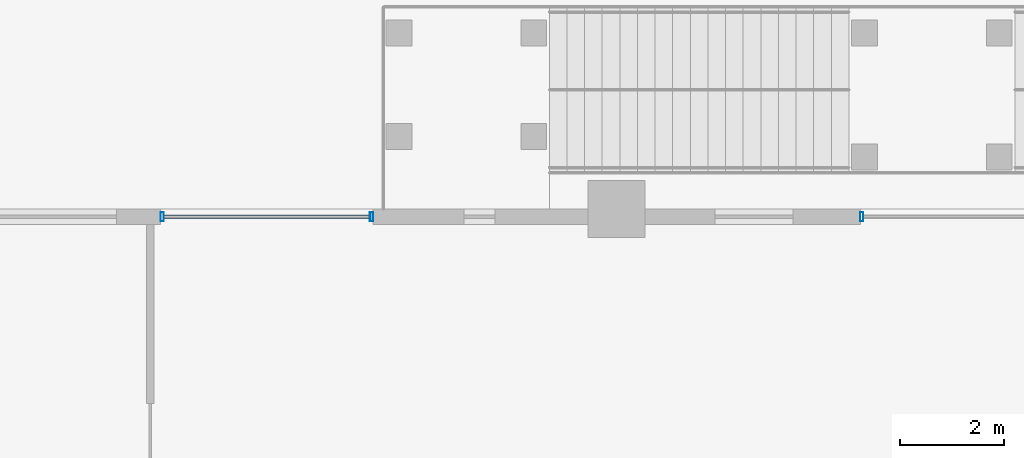
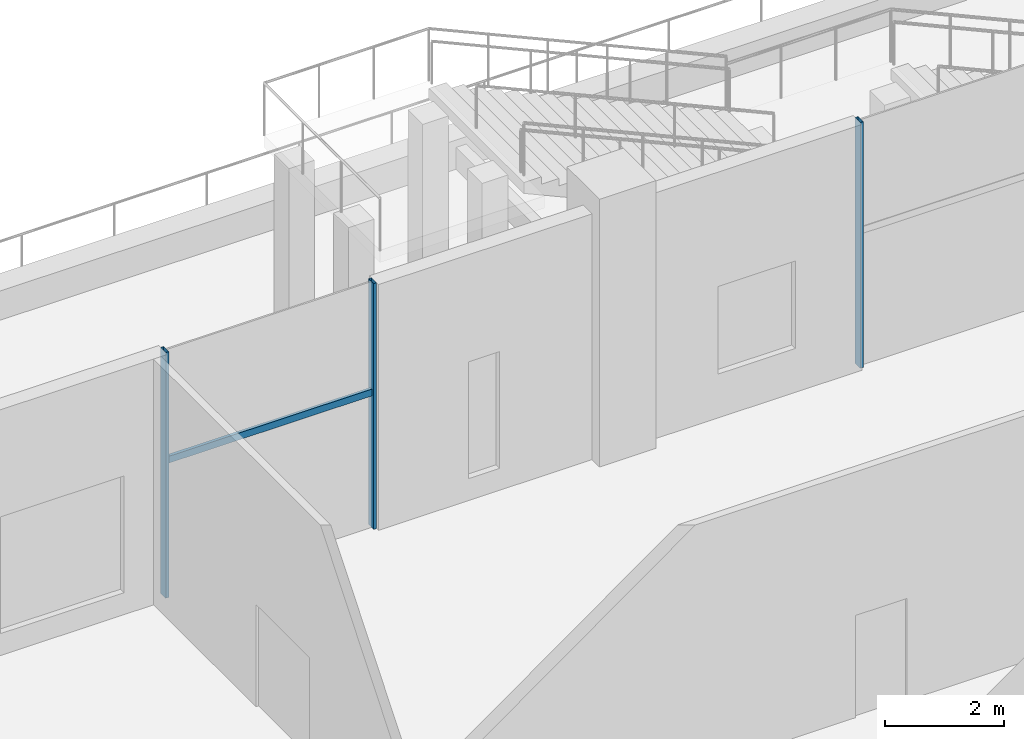
# One storey, part 14 of 47: 4 members, 2 elements without a shape of their own.
"""IFC4 building model written with IfcOpenShell, lengths in metres."""

import ifcopenshell
import ifcopenshell.guid

model = None  # the IFC model being written
_history = None  # IfcOwnerHistory: only IFC2X3 demands one
_inside = {}  # id of a spatial element -> (the spatial element, [elements in it])
_under = {}  # id of a project, library or spatial element -> (it, [spatial elements below it])
_declared = {}  # id of a project -> (the project, [libraries it declares])
_typed = {}  # id of a type object -> (the type object, [elements of that type])
_made_of = {}  # id of a material, layer set ... -> (it, [elements and type objects made of it])


def new_model(schema):
    """Start an empty IFC model of exactly this schema.

    Asked for "IFC4X3", IfcOpenShell would pick the latest addendum, in which some entities
    have other attributes; the version numbers below select the first issue.
    IFC2X3 requires an IfcOwnerHistory on every rooted entity: one is made here for all.
    """
    global model, _history
    if schema == "IFC4X3":
        model = ifcopenshell.file(schema_version=(4, 3, 0, 0))
    else:
        model = ifcopenshell.file(schema=schema)
    _inside.clear()
    _under.clear()
    _declared.clear()
    _typed.clear()
    _made_of.clear()
    _history = None
    if model.schema == "IFC2X3":
        org = make("IfcOrganization", Name="unknown")
        user = make(
            "IfcPersonAndOrganization",
            ThePerson=make("IfcPerson", FamilyName="unknown"),
            TheOrganization=org,
        )
        app = make(
            "IfcApplication",
            ApplicationDeveloper=org,
            Version="unknown",
            ApplicationFullName="unknown",
            ApplicationIdentifier="unknown",
        )
        _history = make(
            "IfcOwnerHistory",
            OwningUser=user,
            OwningApplication=app,
            ChangeAction="ADDED",
            CreationDate=0,
        )
    return model


def make(cls, **values):
    """One entity of the class cls with the attributes given. An attribute that is None is left unset."""
    return model.create_entity(
        cls, **{name: value for name, value in values.items() if value is not None}
    )


def rooted(cls, **values):
    """An entity with a GlobalId (a new one), such as an element, a storey or a relation."""
    return make(cls, GlobalId=ifcopenshell.guid.new(), OwnerHistory=_history, **values)


def si_unit(unit_type, name, prefix=None):
    """IfcSIUnit, for example si_unit("LENGTHUNIT", "METRE", prefix="MILLI")."""
    return make("IfcSIUnit", UnitType=unit_type, Prefix=prefix, Name=name)


def assignment(units):
    """IfcUnitAssignment: the units of a project."""
    return None if units is None else make("IfcUnitAssignment", Units=units)


def point(xyz):
    """IfcCartesianPoint."""
    return None if xyz is None else make("IfcCartesianPoint", Coordinates=xyz)


def direction(xyz):
    """IfcDirection."""
    return None if xyz is None else make("IfcDirection", DirectionRatios=xyz)


def frame(location, z_axis=None, x_axis=None):
    """IfcAxis2Placement3D, a coordinate frame: its origin and axes. An axis left out is left unset."""
    return make(
        "IfcAxis2Placement3D",
        Location=point(location),
        Axis=direction(z_axis),
        RefDirection=direction(x_axis),
    )


def frame_2d(location, x_axis=None):
    """IfcAxis2Placement2D, a coordinate frame in the plane: its origin and x axis."""
    return make(
        "IfcAxis2Placement2D", Location=point(location), RefDirection=direction(x_axis)
    )


def origin():
    """The frame at (0, 0, 0) with its axes left unset."""
    return frame((0.0, 0.0, 0.0))


def origin_2d():
    """The frame at (0, 0) in the plane with its x axis left unset."""
    return frame_2d((0.0, 0.0))


def place(relative_to, where):
    """IfcLocalPlacement: puts the frame where relative to a parent placement (None: the world)."""
    return make(
        "IfcLocalPlacement", PlacementRelTo=relative_to, RelativePlacement=where
    )


def context(
    kind, dimensions, precision=None, world=None, true_north=None, identifier=None
):
    """IfcGeometricRepresentationContext, for example the 3D "Model" context."""
    return make(
        "IfcGeometricRepresentationContext",
        ContextIdentifier=identifier,
        ContextType=kind,
        CoordinateSpaceDimension=dimensions,
        Precision=precision,
        WorldCoordinateSystem=world,
        TrueNorth=true_north,
    )


def subcontext(parent, identifier, kind, view, scale=None):
    """IfcGeometricRepresentationSubContext, for example "Body" below "Model"."""
    return make(
        "IfcGeometricRepresentationSubContext",
        ContextIdentifier=identifier,
        ContextType=kind,
        ParentContext=parent,
        TargetScale=scale,
        TargetView=view,
    )


def project(units=None, contexts=None):
    """IfcProject with its units and contexts."""
    return rooted(
        "IfcProject",
        Name="project",
        RepresentationContexts=contexts,
        UnitsInContext=assignment(units),
    )


def spatial(cls, under=None, at=None, **own):
    """A site, building, storey or space (cls), placed at a placement, below another one or the project."""
    s = rooted(cls, ObjectPlacement=at, **own)
    if under is not None:
        _under.setdefault(under.id(), (under, []))[1].append(s)
    return s


def profile(cls, at=None, kind="AREA", **sizes):
    """A parametric profile (cls). Its sizes go by their IFC names, for example OverallWidth=200.0."""
    return make(cls, ProfileType=kind, Position=at, **sizes)


def hollow_rectangle(**sizes):
    """IfcRectangleHollowProfileDef."""
    return profile("IfcRectangleHollowProfileDef", **sizes)


def extrude(swept, where, along, depth):
    """IfcExtrudedAreaSolid: the profile swept, set in the frame where, extruded along a direction by depth."""
    return make(
        "IfcExtrudedAreaSolid",
        SweptArea=swept,
        Position=where,
        ExtrudedDirection=direction(along),
        Depth=depth,
    )


def shape(context_of_items, identifier, shape_type, items):
    """IfcShapeRepresentation: the items that make up one representation, for example the "Body"."""
    return make(
        "IfcShapeRepresentation",
        ContextOfItems=context_of_items,
        RepresentationIdentifier=identifier,
        RepresentationType=shape_type,
        Items=items,
    )


def material(Name=None, Category=None):
    """IfcMaterial."""
    return make("IfcMaterial", Name=Name, Category=Category)


def material_profile(
    of_material, cross_section, Name=None, Category=None, Priority=None
):
    """IfcMaterialProfile: a cross section and its material."""
    return make(
        "IfcMaterialProfile",
        Name=Name,
        Material=of_material,
        Profile=cross_section,
        Priority=Priority,
        Category=Category,
    )


def profile_set(profiles, Name=None, composite=None):
    """IfcMaterialProfileSet."""
    return make(
        "IfcMaterialProfileSet",
        Name=Name,
        MaterialProfiles=profiles,
        CompositeProfile=composite,
    )


def made_of(thing, what):
    """Note that an element or type object is made of a material, layer set ...; save() writes the relation."""
    if what is not None:
        _made_of.setdefault(what.id(), (what, []))[1].append(thing)
    return thing


def type_object(cls, material=None, **own):
    """A type object (cls), such as IfcWallType, which elements share."""
    return made_of(rooted(cls, **own), material)


def element(
    cls,
    number,
    at=None,
    inside=None,
    cuts=None,
    type_object=None,
    material=None,
    context=None,
    identifier="Body",
    shape_type=None,
    held_by="IfcProductDefinitionShape",
    body=None,
    shapes=None,
    **own,
):
    """One element of the class cls, such as IfcWall. Its Tag is "e" and its number.

    at: its placement. inside: the storey or other place that contains it. cuts: it is an
    opening in that element (IfcRelVoidsElement). A single representation is given by context,
    identifier, shape_type and body (its items); several are given by shapes. held_by: the class
    of the entity that holds the representations. save() writes the other relations.
    """
    e = rooted(cls, Tag="e%d" % number, ObjectPlacement=at, **own)
    if body is not None:
        shapes = [shape(context, identifier, shape_type, body)]
    if shapes is not None:
        e.Representation = make(held_by, Representations=shapes)
    if inside is not None:
        _inside.setdefault(inside.id(), (inside, []))[1].append(e)
    if cuts is not None:
        rooted(
            "IfcRelVoidsElement", RelatingBuildingElement=cuts, RelatedOpeningElement=e
        )
    if type_object is not None:
        _typed.setdefault(type_object.id(), (type_object, []))[1].append(e)
    return made_of(e, material)


def aggregate(whole, parts):
    """IfcRelAggregates: a whole, such as a stair, and the parts it consists of."""
    return rooted("IfcRelAggregates", RelatingObject=whole, RelatedObjects=parts)


def save(model, path):
    """Write the relations noted so far, then the file.

    IfcRelAggregates (storeys below a building ...), IfcRelContainedInSpatialStructure (elements
    in a storey), IfcRelDefinesByType, IfcRelAssociatesMaterial and IfcRelDeclares: one each for
    every whole, place, type object, material and project.
    """
    for whole, parts in _under.values():
        aggregate(whole, parts)
    for where, things in _inside.values():
        rooted(
            "IfcRelContainedInSpatialStructure",
            RelatedElements=things,
            RelatingStructure=where,
        )
    for kind, things in _typed.values():
        rooted("IfcRelDefinesByType", RelatedObjects=things, RelatingType=kind)
    for what, things in _made_of.values():
        rooted("IfcRelAssociatesMaterial", RelatedObjects=things, RelatingMaterial=what)
    for by, libraries in _declared.values():
        rooted("IfcRelDeclares", RelatingContext=by, RelatedDefinitions=libraries)
    model.write(path)


model = new_model("IFC4")

# Units and contexts
model_context = context("Model", 3, precision=1e-05, world=origin(), true_north=direction((0.0, 1.0)))
body_context = subcontext(model_context, "Body", "Model", "MODEL_VIEW")
ifc_project = project(units=[si_unit("LENGTHUNIT", "METRE"), si_unit("AREAUNIT", "SQUARE_METRE"), si_unit("VOLUMEUNIT", "CUBIC_METRE"), si_unit("PLANEANGLEUNIT", "RADIAN"), si_unit("MASSUNIT", "GRAM", prefix="KILO")], contexts=[model_context])

# Site, building, storey
site_placement = place(None, origin())
site = spatial("IfcSite", under=ifc_project, at=site_placement, CompositionType="ELEMENT")
building_placement = place(site_placement, origin())
building = spatial("IfcBuilding", under=site, at=building_placement, Name="Altepetl Exchange Towers", CompositionType="ELEMENT")
storey_placement = place(building_placement, frame((0.0, 0.0, 6.0)))
storey = spatial("IfcBuildingStorey", under=building, at=storey_placement, Name="L01 Retail podium", CompositionType="ELEMENT", Elevation=6.0)

# Curtain wall, member
ifc_material_1 = material(Name="Aluminium 6063-T6 glazing", Category="aluminium")
curtain_wall_type = type_object("IfcCurtainWallType", Name="Podium storefront system", PredefinedType="NOTDEFINED", material=ifc_material_1)
curtain_wall_1_placement = place(storey_placement, origin())
curtain_wall_1 = element("IfcCurtainWall", 1, at=curtain_wall_1_placement, inside=storey, type_object=curtain_wall_type, Name="CW5 run", PredefinedType="NOTDEFINED")
ifc_material_2 = material(Name="Aluminium 6063-T6", Category="aluminium")
ifc_material_profile_1 = material_profile(ifc_material_2, hollow_rectangle(XDim=0.06005859375, YDim=0.175048828125, WallThickness=0.0029296875, at=origin_2d()), Name="Mullion 60x175 aluminium")
ifc_profile_set_1 = profile_set([ifc_material_profile_1], Name="Aluminium 6063-T6")
member_type_1 = type_object("IfcMemberType", Name="Mullion 60x175 aluminium", PredefinedType="MULLION", material=ifc_profile_set_1)
member_1_placement = place(storey_placement, frame((108.22998046875, 89.85009765625, 0.0), z_axis=(0.0, 0.0, 1.0), x_axis=(-1.0, 0.0, 0.0)))
member_1 = element("IfcMember", 2, at=member_1_placement, type_object=member_type_1, Name="MU4 mullion", PredefinedType="MULLION", context=body_context, shape_type="SweptSolid", body=[
    extrude(hollow_rectangle(XDim=0.06005859375, YDim=0.175048828125, WallThickness=0.0029296875, at=origin_2d()), origin(), (0.0, 0.0, 1.0), 5.050048828125),
])
aggregate(curtain_wall_1, [member_1])

# Curtain wall, members
curtain_wall_2_placement = place(storey_placement, origin())
curtain_wall_2 = element("IfcCurtainWall", 3, at=curtain_wall_2_placement, inside=storey, type_object=curtain_wall_type, Name="CW5 run", PredefinedType="NOTDEFINED")
member_2_placement = place(storey_placement, frame((98.77001953125, 89.85009765625, 0.0), z_axis=(0.0, 0.0, 1.0), x_axis=(-1.0, 0.0, 0.0)))
member_2 = element("IfcMember", 4, at=member_2_placement, type_object=member_type_1, Name="MU4 mullion", PredefinedType="MULLION", context=body_context, shape_type="SweptSolid", body=[
    extrude(hollow_rectangle(XDim=0.06005859375, YDim=0.175048828125, WallThickness=0.0029296875, at=origin_2d()), origin(), (0.0, 0.0, 1.0), 5.050048828125),
])
member_3_placement = place(storey_placement, frame((94.72998046875, 89.85009765625, 0.0), z_axis=(0.0, 0.0, 1.0), x_axis=(-1.0, 0.0, 0.0)))
member_3 = element("IfcMember", 5, at=member_3_placement, type_object=member_type_1, Name="MU4 mullion", PredefinedType="MULLION", context=body_context, shape_type="SweptSolid", body=[
    extrude(hollow_rectangle(XDim=0.06005859375, YDim=0.175048828125, WallThickness=0.0029296875, at=origin_2d()), origin(), (0.0, 0.0, 1.0), 5.050048828125),
])
ifc_material_profile_2 = material_profile(ifc_material_2, hollow_rectangle(XDim=0.06005859375, YDim=0.139892578125, WallThickness=0.0029296875, at=origin_2d()), Name="Transom 60x140 aluminium")
ifc_profile_set_2 = profile_set([ifc_material_profile_2], Name="Aluminium 6063-T6")
member_type_2 = type_object("IfcMemberType", Name="Transom 60x140 aluminium", PredefinedType="USERDEFINED", material=ifc_profile_set_2)
member_4_placement = place(storey_placement, frame((98.739990234375, 89.85009765625, 2.780029296875), z_axis=(-1.0, 0.0, 0.0), x_axis=(0.0, -1.0, 0.0)))
member_4 = element("IfcMember", 6, at=member_4_placement, type_object=member_type_2, Name="TR3 transom", ObjectType="TRANSOM", PredefinedType="USERDEFINED", context=body_context, shape_type="SweptSolid", body=[
    extrude(hollow_rectangle(XDim=0.06005859375, YDim=0.139892578125, WallThickness=0.0029296875, at=origin_2d()), origin(), (0.0, 0.0, 1.0), 3.97998046875),
])
aggregate(curtain_wall_2, [member_2, member_3, member_4])

save(model, "model.ifc")
